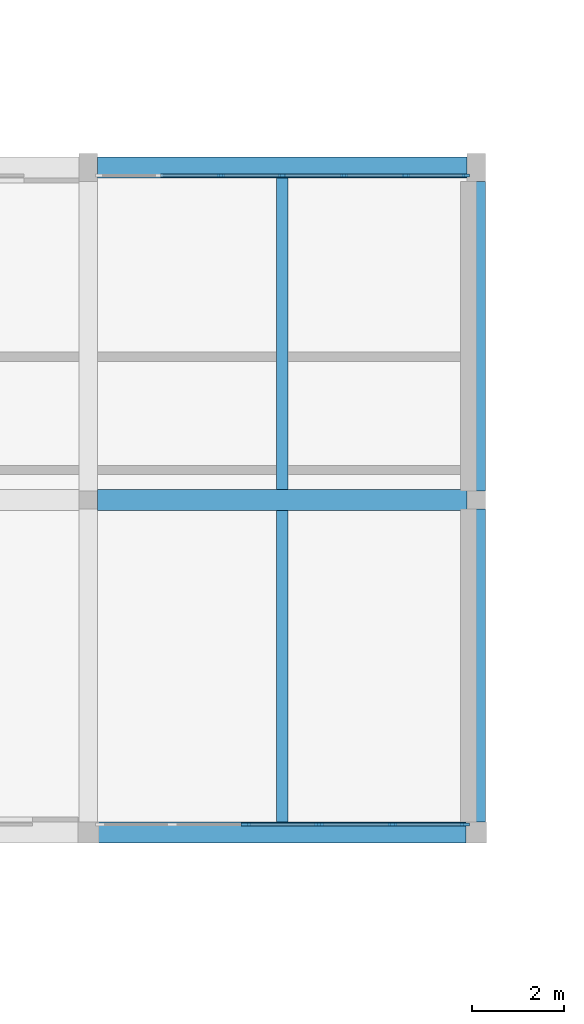
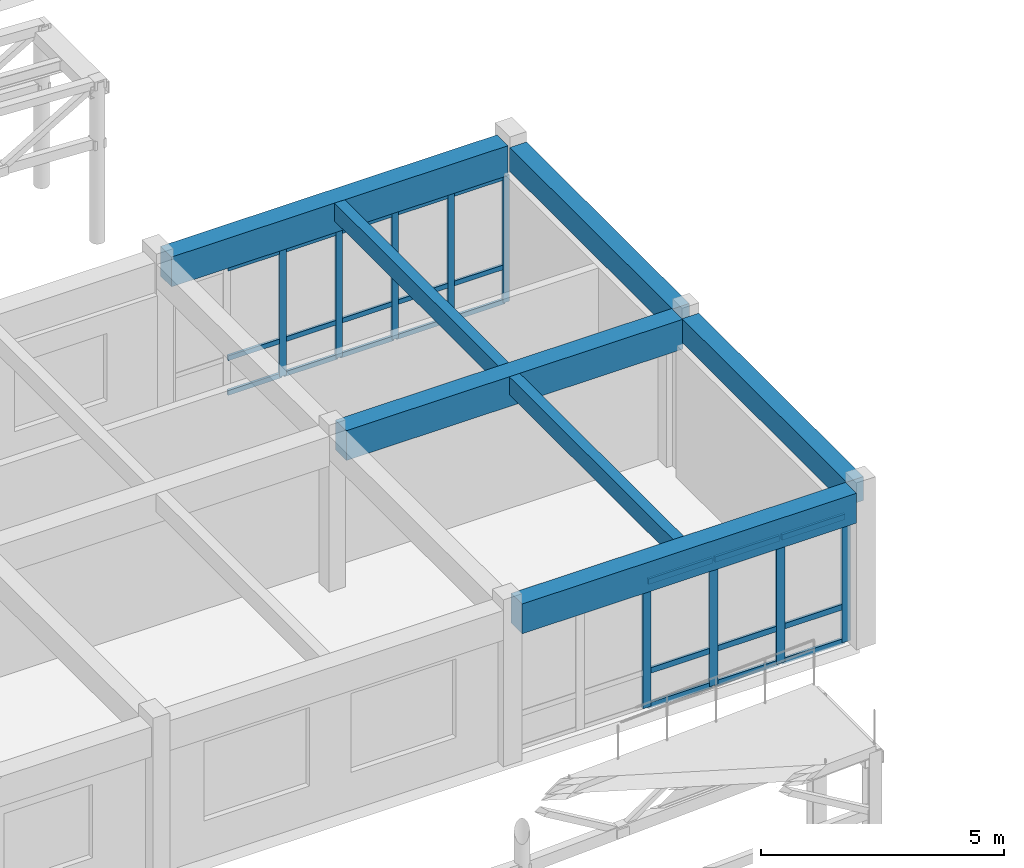
# One storey, part 54 of 90: 33 members, 7 beams, 2 elements without a shape of their own.
"""IFC4 building model written with IfcOpenShell, lengths in metres."""

from ifc_helpers import new_model, si_unit, direction, frame, origin, origin_2d, place, context, subcontext, project, spatial, rectangle, extrude, material, material_profile, profile_set, type_object, element, aggregate, save


model = new_model("IFC4")

# Units and contexts
model_context = context("Model", 3, precision=1e-05, world=origin(), true_north=direction((0.0, 1.0)))
body_context = subcontext(model_context, "Body", "Model", "MODEL_VIEW")
ifc_project = project(units=[si_unit("LENGTHUNIT", "METRE"), si_unit("AREAUNIT", "SQUARE_METRE"), si_unit("VOLUMEUNIT", "CUBIC_METRE"), si_unit("PLANEANGLEUNIT", "RADIAN"), si_unit("MASSUNIT", "GRAM", prefix="KILO")], contexts=[model_context])

# Site, building, storey
site_placement = place(None, origin())
site = spatial("IfcSite", under=ifc_project, at=site_placement, CompositionType="ELEMENT")
building_placement = place(site_placement, origin())
building = spatial("IfcBuilding", under=site, at=building_placement, Name="Malvenik Polytechnic", CompositionType="ELEMENT")
storey_placement = place(building_placement, frame((0.0, 0.0, 9.300048828125)))
storey = spatial("IfcBuildingStorey", under=building, at=storey_placement, Name="L02", CompositionType="ELEMENT", Elevation=9.300048828125)

# Curtain wall, members
ifc_material_1 = material(Name="Anodised aluminium 6060-T6", Category="aluminium")
curtain_wall_type = type_object("IfcCurtainWallType", Name="ARC-CW-CW-03", PredefinedType="NOTDEFINED", material=ifc_material_1)
curtain_wall_1_placement = place(storey_placement, origin())
curtain_wall_1 = element("IfcCurtainWall", 1, at=curtain_wall_1_placement, inside=storey, type_object=curtain_wall_type, Name="Unitised Curtain Wall CW-03 L02 #143", PredefinedType="NOTDEFINED")
ifc_material_2 = material(Name="Anodised aluminium", Category="aluminium")
ifc_material_profile_1 = material_profile(ifc_material_2, rectangle(XDim=0.06005859375, YDim=0.159912109375, at=origin_2d()), Name="ALU MULLION 60x160")
ifc_profile_set_1 = profile_set([ifc_material_profile_1], Name="Anodised aluminium")
member_type_1 = type_object("IfcMemberType", Name="ARC-CWM-160", PredefinedType="MULLION", material=ifc_profile_set_1)
member_1_placement = place(storey_placement, frame((128.865966796875, 64.6298828125, 0.0), z_axis=(0.0, 0.0, 1.0), x_axis=(0.0, 1.0, 0.0)))
member_1 = element("IfcMember", 2, at=member_1_placement, type_object=member_type_1, Name="CW-03 mullion 3", PredefinedType="MULLION", context=body_context, shape_type="SweptSolid", body=[
    extrude(rectangle(XDim=0.06005859375, YDim=0.159912109375, at=origin_2d()), origin(), (0.0, 0.0, 1.0), 3.179931640625),
])
member_2_placement = place(storey_placement, frame((130.199951171875, 64.6298828125, 0.0), z_axis=(0.0, 0.0, 1.0), x_axis=(0.0, 1.0, 0.0)))
member_2 = element("IfcMember", 3, at=member_2_placement, type_object=member_type_1, Name="CW-03 mullion 4", PredefinedType="MULLION", context=body_context, shape_type="SweptSolid", body=[
    extrude(rectangle(XDim=0.06005859375, YDim=0.159912109375, at=origin_2d()), origin(), (0.0, 0.0, 1.0), 3.179931640625),
])
member_3_placement = place(storey_placement, frame((131.533935546875, 64.6298828125, 0.0), z_axis=(0.0, 0.0, 1.0), x_axis=(0.0, 1.0, 0.0)))
member_3 = element("IfcMember", 4, at=member_3_placement, type_object=member_type_1, Name="CW-03 mullion 5", PredefinedType="MULLION", context=body_context, shape_type="SweptSolid", body=[
    extrude(rectangle(XDim=0.06005859375, YDim=0.159912109375, at=origin_2d()), origin(), (0.0, 0.0, 1.0), 3.179931640625),
])
member_4_placement = place(storey_placement, frame((132.867919921875, 64.6298828125, 0.0), z_axis=(0.0, 0.0, 1.0), x_axis=(0.0, 1.0, 0.0)))
member_4 = element("IfcMember", 5, at=member_4_placement, type_object=member_type_1, Name="CW-03 mullion 6", PredefinedType="MULLION", context=body_context, shape_type="SweptSolid", body=[
    extrude(rectangle(XDim=0.06005859375, YDim=0.159912109375, at=origin_2d()), origin(), (0.0, 0.0, 1.0), 3.179931640625),
])
member_5_placement = place(storey_placement, frame((134.172119140625, 64.6298828125, 0.0), z_axis=(0.0, 0.0, 1.0), x_axis=(0.0, 1.0, 0.0)))
member_5 = element("IfcMember", 6, at=member_5_placement, type_object=member_type_1, Name="CW-03 mullion 7", PredefinedType="MULLION", context=body_context, shape_type="SweptSolid", body=[
    extrude(rectangle(XDim=0.06005859375, YDim=0.159912109375, at=origin_2d()), origin(), (0.0, 0.0, 1.0), 3.179931640625),
])

curtain_wall_2_placement = place(storey_placement, origin())
curtain_wall_2 = element("IfcCurtainWall", 7, at=curtain_wall_2_placement, inside=storey, type_object=curtain_wall_type, Name="Unitised Curtain Wall CW-03 L02 #144", PredefinedType="NOTDEFINED")
ifc_material_profile_2 = material_profile(ifc_material_2, rectangle(XDim=0.06005859375, YDim=0.199951171875, at=origin_2d()), Name="ALU MULLION 60x200")
ifc_profile_set_2 = profile_set([ifc_material_profile_2], Name="Anodised aluminium")
member_type_2 = type_object("IfcMemberType", Name="ARC-CWM-200", PredefinedType="MULLION", material=ifc_profile_set_2)
member_6_placement = place(storey_placement, frame((134.14697265625, 50.570068359375, 0.0), z_axis=(0.0, 0.0, 1.0), x_axis=(0.0, -1.0, 0.0)))
member_6 = element("IfcMember", 8, at=member_6_placement, type_object=member_type_2, Name="CW-03 mullion 1", PredefinedType="MULLION", context=body_context, shape_type="SweptSolid", body=[
    extrude(rectangle(XDim=0.06005859375, YDim=0.199951171875, at=origin_2d()), origin(), (0.0, 0.0, 1.0), 3.179931640625),
])
member_7_placement = place(storey_placement, frame((132.586181640625, 50.570068359375, 0.0), z_axis=(0.0, 0.0, 1.0), x_axis=(0.0, -1.0, 0.0)))
member_7 = element("IfcMember", 9, at=member_7_placement, type_object=member_type_2, Name="CW-03 mullion 2", PredefinedType="MULLION", context=body_context, shape_type="SweptSolid", body=[
    extrude(rectangle(XDim=0.06005859375, YDim=0.199951171875, at=origin_2d()), origin(), (0.0, 0.0, 1.0), 3.179931640625),
])
member_8_placement = place(storey_placement, frame((130.995361328125, 50.570068359375, 0.0), z_axis=(0.0, 0.0, 1.0), x_axis=(0.0, -1.0, 0.0)))
member_8 = element("IfcMember", 10, at=member_8_placement, type_object=member_type_2, Name="CW-03 mullion 3", PredefinedType="MULLION", context=body_context, shape_type="SweptSolid", body=[
    extrude(rectangle(XDim=0.06005859375, YDim=0.199951171875, at=origin_2d()), origin(), (0.0, 0.0, 1.0), 3.179931640625),
])
member_9_placement = place(storey_placement, frame((129.404541015625, 50.570068359375, 0.0), z_axis=(0.0, 0.0, 1.0), x_axis=(0.0, -1.0, 0.0)))
member_9 = element("IfcMember", 11, at=member_9_placement, type_object=member_type_2, Name="CW-03 mullion 4", PredefinedType="MULLION", context=body_context, shape_type="SweptSolid", body=[
    extrude(rectangle(XDim=0.06005859375, YDim=0.199951171875, at=origin_2d()), origin(), (0.0, 0.0, 1.0), 3.179931640625),
])

# Member
ifc_material_profile_3 = material_profile(ifc_material_2, rectangle(XDim=0.06005859375, YDim=0.1201171875, at=origin_2d()), Name="ALU TRANSOM 60x120")
ifc_profile_set_3 = profile_set([ifc_material_profile_3], Name="Anodised aluminium")
member_type_3 = type_object("IfcMemberType", Name="ARC-CWT-120", PredefinedType="USERDEFINED", material=ifc_profile_set_3)
member_10_placement = place(storey_placement, frame((127.56201171875, 64.6298828125, 0.030029296875), z_axis=(1.0, 0.0, 0.0), x_axis=(0.0, 1.0, 0.0)))
member_10 = element("IfcMember", 12, at=member_10_placement, type_object=member_type_3, Name="CW-03 transom 2.1", ObjectType="TRANSOM", PredefinedType="USERDEFINED", context=body_context, shape_type="SweptSolid", body=[
    extrude(rectangle(XDim=0.06005859375, YDim=0.1201171875, at=origin_2d()), origin(), (0.0, 0.0, 1.0), 1.27392578125),
])

member_11_placement = place(storey_placement, frame((127.56201171875, 64.6298828125, 0.89990234375), z_axis=(1.0, 0.0, 0.0), x_axis=(0.0, 1.0, 0.0)))
member_11 = element("IfcMember", 13, at=member_11_placement, type_object=member_type_3, Name="CW-03 transom 2.2", ObjectType="TRANSOM", PredefinedType="USERDEFINED", context=body_context, shape_type="SweptSolid", body=[
    extrude(rectangle(XDim=0.06005859375, YDim=0.1201171875, at=origin_2d()), origin(), (0.0, 0.0, 1.0), 1.27392578125),
])

member_12_placement = place(storey_placement, frame((127.56201171875, 64.6298828125, 3.14990234375), z_axis=(1.0, 0.0, 0.0), x_axis=(0.0, 1.0, 0.0)))
member_12 = element("IfcMember", 14, at=member_12_placement, type_object=member_type_3, Name="CW-03 transom 2.3", ObjectType="TRANSOM", PredefinedType="USERDEFINED", context=body_context, shape_type="SweptSolid", body=[
    extrude(rectangle(XDim=0.06005859375, YDim=0.1201171875, at=origin_2d()), origin(), (0.0, 0.0, 1.0), 1.27392578125),
])

member_13_placement = place(storey_placement, frame((128.89599609375, 64.6298828125, 0.030029296875), z_axis=(1.0, 0.0, 0.0), x_axis=(0.0, 1.0, 0.0)))
member_13 = element("IfcMember", 15, at=member_13_placement, type_object=member_type_3, Name="CW-03 transom 3.1", ObjectType="TRANSOM", PredefinedType="USERDEFINED", context=body_context, shape_type="SweptSolid", body=[
    extrude(rectangle(XDim=0.06005859375, YDim=0.1201171875, at=origin_2d()), origin(), (0.0, 0.0, 1.0), 1.27392578125),
])

member_14_placement = place(storey_placement, frame((128.89599609375, 64.6298828125, 0.89990234375), z_axis=(1.0, 0.0, 0.0), x_axis=(0.0, 1.0, 0.0)))
member_14 = element("IfcMember", 16, at=member_14_placement, type_object=member_type_3, Name="CW-03 transom 3.2", ObjectType="TRANSOM", PredefinedType="USERDEFINED", context=body_context, shape_type="SweptSolid", body=[
    extrude(rectangle(XDim=0.06005859375, YDim=0.1201171875, at=origin_2d()), origin(), (0.0, 0.0, 1.0), 1.27392578125),
])

member_15_placement = place(storey_placement, frame((128.89599609375, 64.6298828125, 3.14990234375), z_axis=(1.0, 0.0, 0.0), x_axis=(0.0, 1.0, 0.0)))
member_15 = element("IfcMember", 17, at=member_15_placement, type_object=member_type_3, Name="CW-03 transom 3.3", ObjectType="TRANSOM", PredefinedType="USERDEFINED", context=body_context, shape_type="SweptSolid", body=[
    extrude(rectangle(XDim=0.06005859375, YDim=0.1201171875, at=origin_2d()), origin(), (0.0, 0.0, 1.0), 1.27392578125),
])

member_16_placement = place(storey_placement, frame((130.22998046875, 64.6298828125, 0.030029296875), z_axis=(1.0, 0.0, 0.0), x_axis=(0.0, 1.0, 0.0)))
member_16 = element("IfcMember", 18, at=member_16_placement, type_object=member_type_3, Name="CW-03 transom 4.1", ObjectType="TRANSOM", PredefinedType="USERDEFINED", context=body_context, shape_type="SweptSolid", body=[
    extrude(rectangle(XDim=0.06005859375, YDim=0.1201171875, at=origin_2d()), origin(), (0.0, 0.0, 1.0), 1.27392578125),
])

member_17_placement = place(storey_placement, frame((130.22998046875, 64.6298828125, 0.89990234375), z_axis=(1.0, 0.0, 0.0), x_axis=(0.0, 1.0, 0.0)))
member_17 = element("IfcMember", 19, at=member_17_placement, type_object=member_type_3, Name="CW-03 transom 4.2", ObjectType="TRANSOM", PredefinedType="USERDEFINED", context=body_context, shape_type="SweptSolid", body=[
    extrude(rectangle(XDim=0.06005859375, YDim=0.1201171875, at=origin_2d()), origin(), (0.0, 0.0, 1.0), 1.27392578125),
])

member_18_placement = place(storey_placement, frame((130.22998046875, 64.6298828125, 3.14990234375), z_axis=(1.0, 0.0, 0.0), x_axis=(0.0, 1.0, 0.0)))
member_18 = element("IfcMember", 20, at=member_18_placement, type_object=member_type_3, Name="CW-03 transom 4.3", ObjectType="TRANSOM", PredefinedType="USERDEFINED", context=body_context, shape_type="SweptSolid", body=[
    extrude(rectangle(XDim=0.06005859375, YDim=0.1201171875, at=origin_2d()), origin(), (0.0, 0.0, 1.0), 1.27392578125),
])

member_19_placement = place(storey_placement, frame((131.56396484375, 64.6298828125, 0.030029296875), z_axis=(1.0, 0.0, 0.0), x_axis=(0.0, 1.0, 0.0)))
member_19 = element("IfcMember", 21, at=member_19_placement, type_object=member_type_3, Name="CW-03 transom 5.1", ObjectType="TRANSOM", PredefinedType="USERDEFINED", context=body_context, shape_type="SweptSolid", body=[
    extrude(rectangle(XDim=0.06005859375, YDim=0.1201171875, at=origin_2d()), origin(), (0.0, 0.0, 1.0), 1.27392578125),
])

member_20_placement = place(storey_placement, frame((131.56396484375, 64.6298828125, 0.89990234375), z_axis=(1.0, 0.0, 0.0), x_axis=(0.0, 1.0, 0.0)))
member_20 = element("IfcMember", 22, at=member_20_placement, type_object=member_type_3, Name="CW-03 transom 5.2", ObjectType="TRANSOM", PredefinedType="USERDEFINED", context=body_context, shape_type="SweptSolid", body=[
    extrude(rectangle(XDim=0.06005859375, YDim=0.1201171875, at=origin_2d()), origin(), (0.0, 0.0, 1.0), 1.27392578125),
])

member_21_placement = place(storey_placement, frame((131.56396484375, 64.6298828125, 3.14990234375), z_axis=(1.0, 0.0, 0.0), x_axis=(0.0, 1.0, 0.0)))
member_21 = element("IfcMember", 23, at=member_21_placement, type_object=member_type_3, Name="CW-03 transom 5.3", ObjectType="TRANSOM", PredefinedType="USERDEFINED", context=body_context, shape_type="SweptSolid", body=[
    extrude(rectangle(XDim=0.06005859375, YDim=0.1201171875, at=origin_2d()), origin(), (0.0, 0.0, 1.0), 1.27392578125),
])

member_22_placement = place(storey_placement, frame((132.89794921875, 64.6298828125, 0.030029296875), z_axis=(1.0, 0.0, 0.0), x_axis=(0.0, 1.0, 0.0)))
member_22 = element("IfcMember", 24, at=member_22_placement, type_object=member_type_3, Name="CW-03 transom 6.1", ObjectType="TRANSOM", PredefinedType="USERDEFINED", context=body_context, shape_type="SweptSolid", body=[
    extrude(rectangle(XDim=0.06005859375, YDim=0.1201171875, at=origin_2d()), origin(), (0.0, 0.0, 1.0), 1.244140625),
])

member_23_placement = place(storey_placement, frame((132.89794921875, 64.6298828125, 0.89990234375), z_axis=(1.0, 0.0, 0.0), x_axis=(0.0, 1.0, 0.0)))
member_23 = element("IfcMember", 25, at=member_23_placement, type_object=member_type_3, Name="CW-03 transom 6.2", ObjectType="TRANSOM", PredefinedType="USERDEFINED", context=body_context, shape_type="SweptSolid", body=[
    extrude(rectangle(XDim=0.06005859375, YDim=0.1201171875, at=origin_2d()), origin(), (0.0, 0.0, 1.0), 1.244140625),
])

member_24_placement = place(storey_placement, frame((132.89794921875, 64.6298828125, 3.14990234375), z_axis=(1.0, 0.0, 0.0), x_axis=(0.0, 1.0, 0.0)))
member_24 = element("IfcMember", 26, at=member_24_placement, type_object=member_type_3, Name="CW-03 transom 6.3", ObjectType="TRANSOM", PredefinedType="USERDEFINED", context=body_context, shape_type="SweptSolid", body=[
    extrude(rectangle(XDim=0.06005859375, YDim=0.1201171875, at=origin_2d()), origin(), (0.0, 0.0, 1.0), 1.244140625),
])

aggregate(curtain_wall_1, [member_1, member_2, member_3, member_4, member_5, member_10, member_11, member_12, member_13, member_14, member_15, member_16, member_17, member_18, member_19, member_20, member_21, member_22, member_23, member_24])

ifc_material_profile_4 = material_profile(ifc_material_2, rectangle(XDim=0.06005859375, YDim=0.139892578125, at=origin_2d()), Name="ALU TRANSOM 60x140")
ifc_profile_set_4 = profile_set([ifc_material_profile_4], Name="Anodised aluminium")
member_type_4 = type_object("IfcMemberType", Name="ARC-CWT-140", PredefinedType="USERDEFINED", material=ifc_profile_set_4)
member_25_placement = place(storey_placement, frame((134.116943359375, 50.570068359375, 0.030029296875), z_axis=(-1.0, 0.0, 0.0), x_axis=(0.0, -1.0, 0.0)))
member_25 = element("IfcMember", 27, at=member_25_placement, type_object=member_type_4, Name="CW-03 transom 1.1", ObjectType="TRANSOM", PredefinedType="USERDEFINED", context=body_context, shape_type="SweptSolid", body=[
    extrude(rectangle(XDim=0.06005859375, YDim=0.139892578125, at=origin_2d()), origin(), (0.0, 0.0, 1.0), 1.500732421875),
])

member_26_placement = place(storey_placement, frame((134.116943359375, 50.570068359375, 0.89990234375), z_axis=(-1.0, 0.0, 0.0), x_axis=(0.0, -1.0, 0.0)))
member_26 = element("IfcMember", 28, at=member_26_placement, type_object=member_type_4, Name="CW-03 transom 1.2", ObjectType="TRANSOM", PredefinedType="USERDEFINED", context=body_context, shape_type="SweptSolid", body=[
    extrude(rectangle(XDim=0.06005859375, YDim=0.139892578125, at=origin_2d()), origin(), (0.0, 0.0, 1.0), 1.500732421875),
])

member_27_placement = place(storey_placement, frame((134.116943359375, 50.570068359375, 3.14990234375), z_axis=(-1.0, 0.0, 0.0), x_axis=(0.0, -1.0, 0.0)))
member_27 = element("IfcMember", 29, at=member_27_placement, type_object=member_type_4, Name="CW-03 transom 1.3", ObjectType="TRANSOM", PredefinedType="USERDEFINED", context=body_context, shape_type="SweptSolid", body=[
    extrude(rectangle(XDim=0.06005859375, YDim=0.139892578125, at=origin_2d()), origin(), (0.0, 0.0, 1.0), 1.500732421875),
])

member_28_placement = place(storey_placement, frame((132.55615234375, 50.570068359375, 0.030029296875), z_axis=(-1.0, 0.0, 0.0), x_axis=(0.0, -1.0, 0.0)))
member_28 = element("IfcMember", 30, at=member_28_placement, type_object=member_type_4, Name="CW-03 transom 2.1", ObjectType="TRANSOM", PredefinedType="USERDEFINED", context=body_context, shape_type="SweptSolid", body=[
    extrude(rectangle(XDim=0.06005859375, YDim=0.139892578125, at=origin_2d()), origin(), (0.0, 0.0, 1.0), 1.53076171875),
])

member_29_placement = place(storey_placement, frame((132.55615234375, 50.570068359375, 0.89990234375), z_axis=(-1.0, 0.0, 0.0), x_axis=(0.0, -1.0, 0.0)))
member_29 = element("IfcMember", 31, at=member_29_placement, type_object=member_type_4, Name="CW-03 transom 2.2", ObjectType="TRANSOM", PredefinedType="USERDEFINED", context=body_context, shape_type="SweptSolid", body=[
    extrude(rectangle(XDim=0.06005859375, YDim=0.139892578125, at=origin_2d()), origin(), (0.0, 0.0, 1.0), 1.53076171875),
])

member_30_placement = place(storey_placement, frame((132.55615234375, 50.570068359375, 3.14990234375), z_axis=(-1.0, 0.0, 0.0), x_axis=(0.0, -1.0, 0.0)))
member_30 = element("IfcMember", 32, at=member_30_placement, type_object=member_type_4, Name="CW-03 transom 2.3", ObjectType="TRANSOM", PredefinedType="USERDEFINED", context=body_context, shape_type="SweptSolid", body=[
    extrude(rectangle(XDim=0.06005859375, YDim=0.139892578125, at=origin_2d()), origin(), (0.0, 0.0, 1.0), 1.53076171875),
])

member_31_placement = place(storey_placement, frame((130.96533203125, 50.570068359375, 0.030029296875), z_axis=(-1.0, 0.0, 0.0), x_axis=(0.0, -1.0, 0.0)))
member_31 = element("IfcMember", 33, at=member_31_placement, type_object=member_type_4, Name="CW-03 transom 3.1", ObjectType="TRANSOM", PredefinedType="USERDEFINED", context=body_context, shape_type="SweptSolid", body=[
    extrude(rectangle(XDim=0.06005859375, YDim=0.139892578125, at=origin_2d()), origin(), (0.0, 0.0, 1.0), 1.53076171875),
])

member_32_placement = place(storey_placement, frame((130.96533203125, 50.570068359375, 0.89990234375), z_axis=(-1.0, 0.0, 0.0), x_axis=(0.0, -1.0, 0.0)))
member_32 = element("IfcMember", 34, at=member_32_placement, type_object=member_type_4, Name="CW-03 transom 3.2", ObjectType="TRANSOM", PredefinedType="USERDEFINED", context=body_context, shape_type="SweptSolid", body=[
    extrude(rectangle(XDim=0.06005859375, YDim=0.139892578125, at=origin_2d()), origin(), (0.0, 0.0, 1.0), 1.53076171875),
])

member_33_placement = place(storey_placement, frame((130.96533203125, 50.570068359375, 3.14990234375), z_axis=(-1.0, 0.0, 0.0), x_axis=(0.0, -1.0, 0.0)))
member_33 = element("IfcMember", 35, at=member_33_placement, type_object=member_type_4, Name="CW-03 transom 3.3", ObjectType="TRANSOM", PredefinedType="USERDEFINED", context=body_context, shape_type="SweptSolid", body=[
    extrude(rectangle(XDim=0.06005859375, YDim=0.139892578125, at=origin_2d()), origin(), (0.0, 0.0, 1.0), 1.53076171875),
])

aggregate(curtain_wall_2, [member_6, member_7, member_8, member_9, member_25, member_26, member_27, member_28, member_29, member_30, member_31, member_32, member_33])

# Beams
ifc_material_3 = material(Name="Concrete C35/45", Category="concrete")
ifc_material_profile_5 = material_profile(ifc_material_3, rectangle(XDim=0.449951171875, YDim=0.75, at=origin_2d()), Name="RC BM 450x750")
ifc_profile_set_5 = profile_set([ifc_material_profile_5], Name="Concrete C35/45")
beam_type_1 = type_object("IfcBeamType", Name="STR-BM-B-03", PredefinedType="BEAM", material=ifc_profile_set_5)
beam_1_placement = place(storey_placement, frame((126.222900390625, 50.39990234375, 3.56494140625), z_axis=(1.0, 0.0, 0.0), x_axis=(0.0, 1.0, 0.0)))
element("IfcBeam", 36, at=beam_1_placement, inside=storey, type_object=beam_type_1, Name="Primary Beam B-03 L02 #1349", PredefinedType="BEAM", context=body_context, shape_type="SweptSolid", body=[
    extrude(rectangle(XDim=0.449951171875, YDim=0.75, at=origin_2d()), origin(), (0.0, 0.0, 1.0), 7.9541015625),
])
for number, where, z_axis, x_axis, name in (
    (37, (126.197998046875, 57.60009765625, 3.56494140625), (1.0, 0.0, 0.0), (0.0, 1.0, 0.0), "Primary Beam B-03 L02 #1360"),
    (38, (126.197998046875, 64.800048828125, 3.56494140625), (1.0, 0.0, 0.0), (0.0, 1.0, 0.0), "Primary Beam B-03 L02 #1375"),
):
    element("IfcBeam", number, at=place(storey_placement, frame(where, z_axis=z_axis, x_axis=x_axis)), inside=storey, type_object=beam_type_1, Name=name, PredefinedType="BEAM", context=body_context, shape_type="SweptSolid", body=[
        extrude(rectangle(XDim=0.449951171875, YDim=0.75, at=origin_2d()), origin(), (0.0, 0.0, 1.0), 8.00390625),
    ])
ifc_material_profile_6 = material_profile(ifc_material_3, rectangle(XDim=0.39990234375, YDim=0.60009765625, at=origin_2d()), Name="RC BM 400x600")
ifc_profile_set_6 = profile_set([ifc_material_profile_6], Name="Concrete C35/45")
beam_type_2 = type_object("IfcBeamType", Name="STR-BM-B-06", PredefinedType="BEAM", material=ifc_profile_set_6)
beam_2_placement = place(storey_placement, frame((134.39990234375, 50.623046875, 3.639892578125), z_axis=(0.0, 1.0, 0.0), x_axis=(-1.0, 0.0, 0.0)))
element("IfcBeam", 39, at=beam_2_placement, inside=storey, type_object=beam_type_2, Name="Transverse Beam B-06 L02 #1555", PredefinedType="BEAM", context=body_context, shape_type="SweptSolid", body=[
    extrude(rectangle(XDim=0.39990234375, YDim=0.60009765625, at=origin_2d()), origin(), (0.0, 0.0, 1.0), 6.779052734375),
])
beam_3_placement = place(storey_placement, frame((134.39990234375, 57.798095703125, 3.639892578125), z_axis=(0.0, 1.0, 0.0), x_axis=(-1.0, 0.0, 0.0)))
element("IfcBeam", 40, at=beam_3_placement, inside=storey, type_object=beam_type_2, Name="Transverse Beam B-06 L02 #1556", PredefinedType="BEAM", context=body_context, shape_type="SweptSolid", body=[
    extrude(rectangle(XDim=0.39990234375, YDim=0.60009765625, at=origin_2d()), origin(), (0.0, 0.0, 1.0), 6.703857421875),
])
ifc_material_4 = material(Name="Concrete C30/37", Category="concrete")
ifc_material_profile_7 = material_profile(ifc_material_4, rectangle(XDim=0.25, YDim=0.449951171875, at=origin_2d()), Name="RC JST 250x450")
ifc_profile_set_7 = profile_set([ifc_material_profile_7], Name="Concrete C30/37")
beam_type_3 = type_object("IfcBeamType", Name="STR-BM-J-02", PredefinedType="JOIST", material=ifc_profile_set_7)
for number, where, z_axis, x_axis, name in (
    (41, (130.199951171875, 50.623046875, 3.71484375), (0.0, 1.0, 0.0), (-1.0, 0.0, 0.0), "Secondary Rib Joist J-02 L02 #1617"),
    (42, (130.199951171875, 57.822998046875, 3.71484375), (0.0, 1.0, 0.0), (-1.0, 0.0, 0.0), "Secondary Rib Joist J-02 L02 #1618"),
):
    element("IfcBeam", number, at=place(storey_placement, frame(where, z_axis=z_axis, x_axis=x_axis)), inside=storey, type_object=beam_type_3, Name=name, PredefinedType="JOIST", context=body_context, shape_type="SweptSolid", body=[
        extrude(rectangle(XDim=0.25, YDim=0.449951171875, at=origin_2d()), origin(), (0.0, 0.0, 1.0), 6.75390625),
    ])

save(model, "model.ifc")
